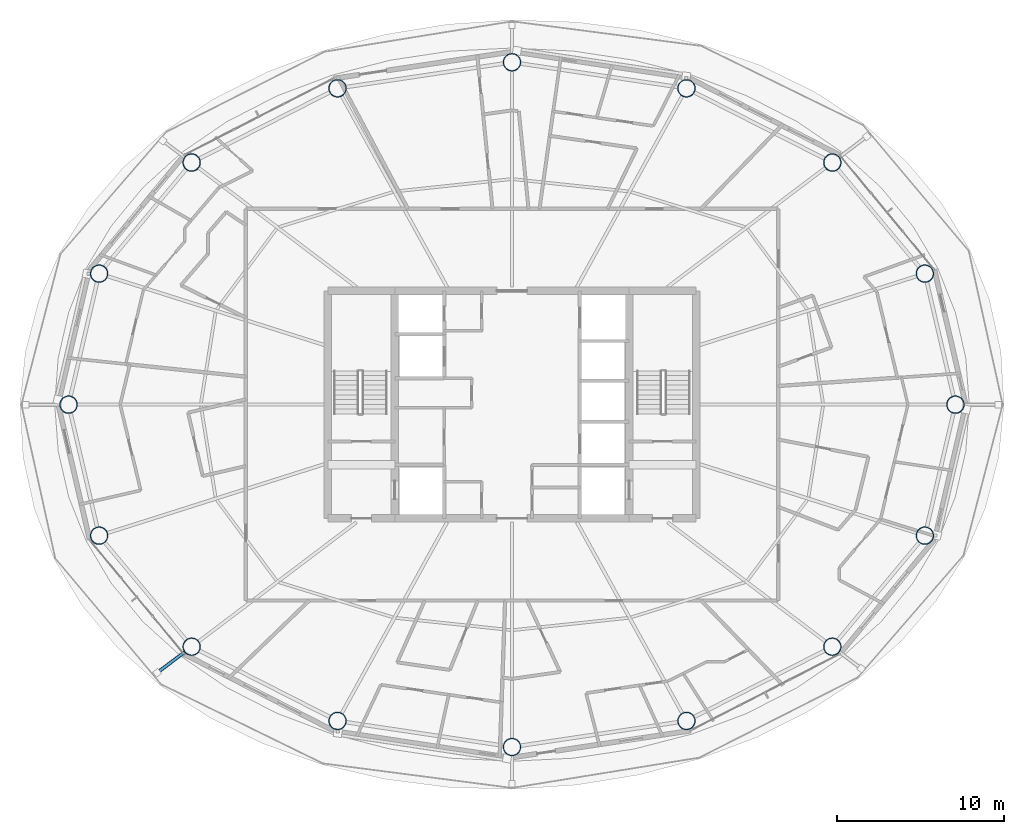
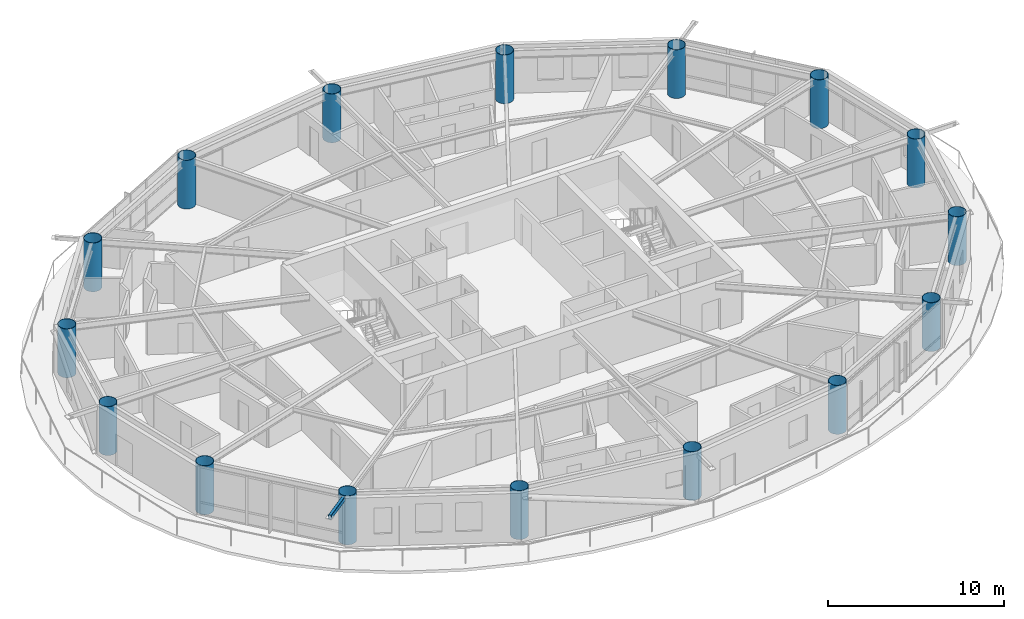
# One storey, part 1 of 27: 16 columns, 1 member.
"""IFC4 building model written with IfcOpenShell, lengths in metres."""

from ifc_helpers import new_model, si_unit, direction, frame, origin, origin_2d, place, context, subcontext, project, spatial, hollow_rectangle, hollow_circle, extrude, material, material_profile, profile_set, type_object, element, save


model = new_model("IFC4")

# Units and contexts
model_context = context("Model", 3, precision=1e-05, world=origin(), true_north=direction((0.0, 1.0)))
body_context = subcontext(model_context, "Body", "Model", "MODEL_VIEW")
ifc_project = project(units=[si_unit("LENGTHUNIT", "METRE"), si_unit("AREAUNIT", "SQUARE_METRE"), si_unit("VOLUMEUNIT", "CUBIC_METRE"), si_unit("PLANEANGLEUNIT", "RADIAN"), si_unit("MASSUNIT", "GRAM", prefix="KILO")], contexts=[model_context])

# Site, building, storey
site_placement = place(None, origin())
site = spatial("IfcSite", under=ifc_project, at=site_placement, CompositionType="ELEMENT")
building_placement = place(site_placement, origin())
building = spatial("IfcBuilding", under=site, at=building_placement, Name="Sarneth Arch Tower", CompositionType="ELEMENT")
storey_placement = place(building_placement, frame((0.0, 0.0, 157.800048828125)))
storey = spatial("IfcBuildingStorey", under=building, at=storey_placement, Name="L39", CompositionType="ELEMENT", Elevation=157.800048828125)

# Columns
ifc_material_1 = material(Name="Steel S355", Category="steel")
ifc_material_profile_1 = material_profile(ifc_material_1, hollow_circle(Radius=0.52490234375, WallThickness=0.028076171875, at=origin_2d()), Name="CHS1050x28")
ifc_profile_set_1 = profile_set([ifc_material_profile_1], Name="Steel S355")
column_type = type_object("IfcColumnType", Name="COL-MEGA-1050", PredefinedType="COLUMN", material=ifc_profile_set_1)
for number, where, z_axis, x_axis, name in (
    (1, (74.487060546875, 42.0, 0.0), (0.0, 0.0, 1.0), (1.0, 0.0, 0.0), "L39 Perimeter mega-column M01"),
    (2, (72.662109375, 49.825927734375, 0.0), (0.0, 0.0, 1.0), (1.0, 0.0, 0.0), "L39 Perimeter mega-column M02"),
    (3, (67.1337890625, 56.46044921875, 0.0), (0.0, 0.0, 1.0), (1.0, 0.0, 0.0), "L39 Perimeter mega-column M03"),
    (4, (58.421875, 60.893310546875, 0.0), (0.0, 0.0, 1.0), (1.0, 0.0, 0.0), "L39 Perimeter mega-column M04"),
    (5, (48.0, 62.449951171875, 0.0), (0.0, 0.0, 1.0), (1.0, 0.0, 0.0), "L39 Perimeter mega-column M05"),
    (6, (37.578125, 60.893310546875, 0.0), (0.0, 0.0, 1.0), (1.0, 0.0, 0.0), "L39 Perimeter mega-column M06"),
    (7, (28.8662109375, 56.46044921875, 0.0), (0.0, 0.0, 1.0), (1.0, 0.0, 0.0), "L39 Perimeter mega-column M07"),
    (8, (23.337890625, 49.825927734375, 0.0), (0.0, 0.0, 1.0), (1.0, 0.0, 0.0), "L39 Perimeter mega-column M08"),
    (9, (21.512939453125, 42.0, 0.0), (0.0, 0.0, 1.0), (1.0, 0.0, 0.0), "L39 Perimeter mega-column M09"),
    (10, (23.337890625, 34.174072265625, 0.0), (0.0, 0.0, 1.0), (1.0, 0.0, 0.0), "L39 Perimeter mega-column M10"),
    (11, (28.8662109375, 27.53955078125, 0.0), (0.0, 0.0, 1.0), (1.0, 0.0, 0.0), "L39 Perimeter mega-column M11"),
    (12, (37.578125, 23.106689453125, 0.0), (0.0, 0.0, 1.0), (1.0, 0.0, 0.0), "L39 Perimeter mega-column M12"),
    (13, (48.0, 21.550048828125, 0.0), (0.0, 0.0, 1.0), (1.0, 0.0, 0.0), "L39 Perimeter mega-column M13"),
    (14, (58.421875, 23.106689453125, 0.0), (0.0, 0.0, 1.0), (1.0, 0.0, 0.0), "L39 Perimeter mega-column M14"),
    (15, (67.1337890625, 27.53955078125, 0.0), (0.0, 0.0, 1.0), (1.0, 0.0, 0.0), "L39 Perimeter mega-column M15"),
    (16, (72.662109375, 34.174072265625, 0.0), (0.0, 0.0, 1.0), (1.0, 0.0, 0.0), "L39 Perimeter mega-column M16"),
):
    element("IfcColumn", number, at=place(storey_placement, frame(where, z_axis=z_axis, x_axis=x_axis)), inside=storey, type_object=column_type, Name=name, PredefinedType="COLUMN", context=body_context, shape_type="SweptSolid", body=[
        extrude(hollow_circle(Radius=0.52490234375, WallThickness=0.028076171875, at=origin_2d()), origin(), (0.0, 0.0, 1.0), 3.3798828125),
    ])

# Member
ifc_material_2 = material(Name="Steel S355", Category="steel")
ifc_material_profile_2 = material_profile(ifc_material_2, hollow_rectangle(XDim=0.199951171875, YDim=0.300048828125, WallThickness=0.012451171875, InnerFilletRadius=0.018798828125, OuterFilletRadius=0.03125, at=origin_2d()), Name="RHS300x200x12.5")
ifc_profile_set_2 = profile_set([ifc_material_profile_2], Name="Steel S355")
member_type = type_object("IfcMemberType", Name="MEM-CANT-STRUT", PredefinedType="STRUT", material=ifc_profile_set_2)
member_placement = place(storey_placement, frame((28.447265625, 27.22314453125, 3.219970703125), z_axis=(-0.79776219837, -0.602972200729, 0.0), x_axis=(0.602972200729, -0.79776219837, 0.0)))
element("IfcMember", 17, at=member_placement, inside=storey, type_object=member_type, Name="L39 Balcony cantilever bracket 11", PredefinedType="STRUT", context=body_context, shape_type="SweptSolid", body=[
    extrude(hollow_rectangle(XDim=0.199951171875, YDim=0.300048828125, WallThickness=0.012451171875, InnerFilletRadius=0.018798828125, OuterFilletRadius=0.03125, at=origin_2d()), origin(), (0.0, 0.0, 1.0), 2.060546875),
])

save(model, "model.ifc")
